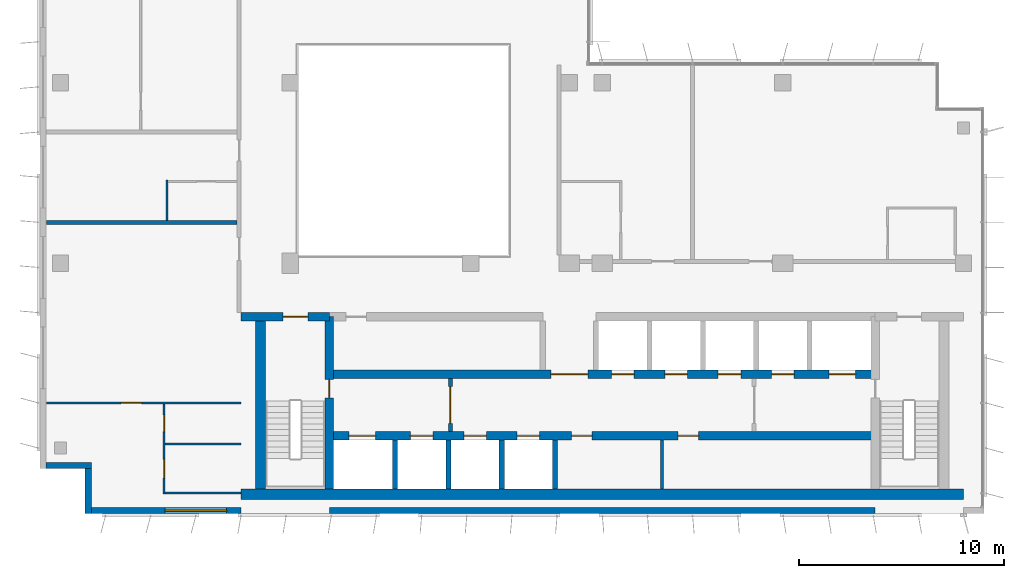
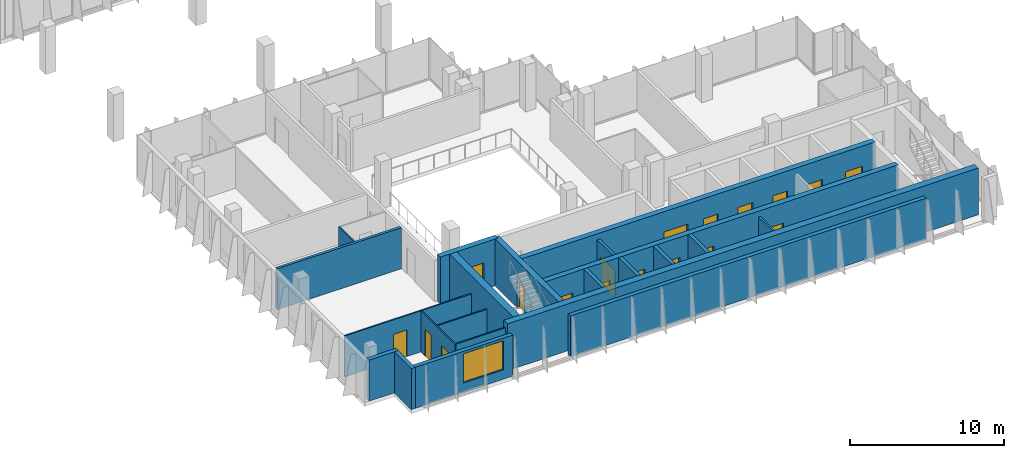
# One storey, part 9 of 13: 22 walls, 18 doors, 1 window, 19 openings.
"""IFC4 building model written with IfcOpenShell, lengths in metres."""

from ifc_helpers import new_model, si_unit, direction, frame, frame_2d, origin, place, context, subcontext, project, spatial, rectangle, extrude, material, layer, layer_set, type_object, element, fill, save


model = new_model("IFC4")

# Units and contexts
model_context = context("Model", 3, precision=1e-05, world=origin(), true_north=direction((0.0, 1.0)))
body_context = subcontext(model_context, "Body", "Model", "MODEL_VIEW")
ifc_project = project(units=[si_unit("LENGTHUNIT", "METRE"), si_unit("AREAUNIT", "SQUARE_METRE"), si_unit("VOLUMEUNIT", "CUBIC_METRE"), si_unit("PLANEANGLEUNIT", "RADIAN"), si_unit("MASSUNIT", "GRAM", prefix="KILO")], contexts=[model_context])

# Site, building, storey
site_placement = place(None, origin())
site = spatial("IfcSite", under=ifc_project, at=site_placement, CompositionType="ELEMENT")
building_placement = place(site_placement, origin())
building = spatial("IfcBuilding", under=site, at=building_placement, Name="Kemantara Hotel Tower", CompositionType="ELEMENT")
storey_placement = place(building_placement, frame((0.0, 0.0, 252.39990234375)))
storey = spatial("IfcBuildingStorey", under=building, at=storey_placement, Name="L63", CompositionType="ELEMENT", Elevation=252.39990234375)

# Walls
ifc_material_1 = material(Name="Bronze anodised aluminium cladding on insulated steel stud wall", Category="steel")
ifc_layer_1 = layer(ifc_material_1, 0.300048828125)
ifc_layer_set_1 = layer_set([ifc_layer_1], Name="Bronze anodised aluminium cladding on insulated steel stud wall")
wall_type_1 = type_object("IfcWallType", Name="BRONZE METAL-CLAD EXTERNAL WALL 300", PredefinedType="STANDARD", material=ifc_layer_set_1)
for number, where, z_axis, x_axis, name in (
    (1, (0.300048828125, 2.35009765625, 0.0), (0.0, 0.0, 1.0), (1.0, 0.0, 0.0), "EXTERNAL WALL L63 T4P-R03"),
    (2, (2.35009765625, 2.199951171875, 0.0), (0.0, 0.0, 1.0), (0.0, -1.0, 0.0), "EXTERNAL WALL L63 T4P-R04"),
):
    element("IfcWall", number, at=place(storey_placement, frame(where, z_axis=z_axis, x_axis=x_axis)), inside=storey, type_object=wall_type_1, Name=name, PredefinedType="STANDARD", context=body_context, shape_type="SweptSolid", body=[
        extrude(rectangle(XDim=2.199951171875, YDim=0.300048828125, at=frame_2d((1.10009765625, 0.0))), origin(), (0.0, 0.0, 1.0), 3.25),
    ])

# Wall, opening, window
wall_1_placement = place(storey_placement, frame((2.5, 0.14990234375, 0.0), z_axis=(0.0, 0.0, 1.0), x_axis=(1.0, 0.0, 0.0)))
wall_1 = element("IfcWall", 3, at=wall_1_placement, inside=storey, type_object=wall_type_1, Name="EXTERNAL WALL L63 T4P-R05", PredefinedType="STANDARD", context=body_context, shape_type="SweptSolid", body=[
    extrude(rectangle(XDim=7.300048828125, YDim=0.300048828125, at=frame_2d((3.64990234375, 0.0))), origin(), (0.0, 0.0, 1.0), 3.25),
])
opening_1_placement = place(wall_1_placement, frame((3.60009765625, 0.0, 0.75)))
opening_1 = element("IfcOpeningElement", 4, at=opening_1_placement, cuts=wall_1, Name="Opening W1", PredefinedType="OPENING", context=body_context, shape_type="SweptSolid", body=[
    extrude(rectangle(XDim=3.0, YDim=2.300048828125, at=frame_2d((1.5, 1.14990234375))), frame((0.0, 0.159912109375, 0.0), z_axis=(0.0, -1.0, 0.0), x_axis=(1.0, 0.0, 0.0)), (0.0, 0.0, 1.0), 0.320068359375),
])
ifc_material_2 = material(Name="Low-E tinted double insulated glass in bronze anodised aluminium frame", Category="aluminium")
window_type = type_object("IfcWindowType", Name="CHICAGO WINDOW, TRIPLE PANEL 3000x2300", PartitioningType="TRIPLE_PANEL_VERTICAL", PredefinedType="WINDOW", material=ifc_material_2)
window_placement = place(opening_1_placement, origin())
window = element("IfcWindow", 5, at=window_placement, inside=storey, type_object=window_type, Name="CHICAGO WINDOW L63 T4P-R05-54", OverallHeight=2.300048828125, OverallWidth=3.0, PartitioningType="SINGLE_PANEL", PredefinedType="WINDOW", context=body_context, shape_type="SweptSolid", body=[
    extrude(rectangle(XDim=3.0, YDim=2.300048828125, at=frame_2d((1.5, 1.14990234375))), frame((0.0, 0.030029296875, 0.0), z_axis=(0.0, -1.0, 0.0), x_axis=(1.0, 0.0, 0.0)), (0.0, 0.0, 1.0), 0.06005859375),
])
fill(opening_1, window)

# Walls
wall_2_placement = place(storey_placement, frame((14.10009765625, 0.14990234375, 0.0), z_axis=(0.0, 0.0, 1.0), x_axis=(1.0, 0.0, 0.0)))
element("IfcWall", 6, at=wall_2_placement, inside=storey, type_object=wall_type_1, Name="EXTERNAL WALL L63 T4P-R05-2", PredefinedType="STANDARD", context=body_context, shape_type="SweptSolid", body=[
    extrude(rectangle(XDim=26.599853515625, YDim=0.300048828125, at=frame_2d((13.2998046875, 0.0))), origin(), (0.0, 0.0, 1.0), 3.25),
])
ifc_material_3 = material(Name="Concrete fc 60 MPa", Category="concrete")
ifc_layer_2 = layer(ifc_material_3, 0.25)
ifc_layer_set_2 = layer_set([ifc_layer_2], Name="Concrete fc 60 MPa")
wall_type_2 = type_object("IfcWallType", Name="CORE WALL 250 FC60", PredefinedType="SHEAR", material=ifc_layer_set_2)
for number, where, z_axis, x_axis, name in (
    (7, (17.300048828125, 1.199951171875, 0.0), (0.0, 0.0, 1.0), (0.0, 1.0, 0.0), "CORE WALL CW-DS17.3"),
    (8, (19.89990234375, 1.199951171875, 0.0), (0.0, 0.0, 1.0), (0.0, 1.0, 0.0), "CORE WALL CW-DS19.9"),
    (9, (22.5, 1.199951171875, 0.0), (0.0, 0.0, 1.0), (0.0, 1.0, 0.0), "CORE WALL CW-DS22.5"),
    (10, (25.10009765625, 1.199951171875, 0.0), (0.0, 0.0, 1.0), (0.0, 1.0, 0.0), "CORE WALL CW-DS25.1"),
):
    element("IfcWall", number, at=place(storey_placement, frame(where, z_axis=z_axis, x_axis=x_axis)), inside=storey, type_object=wall_type_2, Name=name, PredefinedType="SHEAR", context=body_context, shape_type="SweptSolid", body=[
        extrude(rectangle(XDim=2.400146484375, YDim=0.25, at=frame_2d((1.2001953125, 0.0))), origin(), (0.0, 0.0, 1.0), 3.7001953125),
    ])

# Wall, opening, door
ifc_layer_3 = layer(ifc_material_3, 0.39990234375)
ifc_layer_set_3 = layer_set([ifc_layer_3], Name="Concrete fc 60 MPa")
wall_type_3 = type_object("IfcWallType", Name="CORE WALL 400 FC60", PredefinedType="SHEAR", material=ifc_layer_set_3)
wall_3_placement = place(storey_placement, frame((9.800048828125, 9.60009765625, 0.0), z_axis=(0.0, 0.0, 1.0), x_axis=(1.0, 0.0, 0.0)))
wall_3 = element("IfcWall", 11, at=wall_3_placement, inside=storey, type_object=wall_type_3, Name="CORE WALL CW-N1", PredefinedType="SHEAR", context=body_context, shape_type="SweptSolid", body=[
    extrude(rectangle(XDim=4.300048828125, YDim=0.39990234375, at=frame_2d((2.14990234375, 0.0))), origin(), (0.0, 0.0, 1.0), 3.7001953125),
])
opening_2_placement = place(wall_3_placement, frame((2.050048828125, 0.0, 0.0)))
opening_2 = element("IfcOpeningElement", 12, at=opening_2_placement, cuts=wall_3, Name="Opening C37-ST1-C", PredefinedType="OPENING", context=body_context, shape_type="SweptSolid", body=[
    extrude(rectangle(XDim=1.199951171875, YDim=2.10009765625, at=frame_2d((0.60009765625, 1.050048828125))), frame((0.0, 0.2099609375, 0.0), z_axis=(0.0, -1.0, 0.0), x_axis=(1.0, 0.0, 0.0)), (0.0, 0.0, 1.0), 0.419921875),
])
ifc_material_4 = material(Name="Steel fire door", Category="steel")
door_type_1 = type_object("IfcDoorType", Name="Fire door FD90 1200 x 2100", OperationType="NOTDEFINED", PredefinedType="DOOR", material=ifc_material_4)
door_1_placement = place(opening_2_placement, frame((1.199951171875, 0.0, 0.0), z_axis=(0.0, 0.0, 1.0), x_axis=(-1.0, 0.0, 0.0)))
door_1 = element("IfcDoor", 13, at=door_1_placement, inside=storey, type_object=door_type_1, Name="Stair ST1 door to corridor", OperationType="SINGLE_SWING_LEFT", OverallHeight=2.10009765625, OverallWidth=1.199951171875, PredefinedType="DOOR", context=body_context, shape_type="SweptSolid", body=[
    extrude(rectangle(XDim=1.199951171875, YDim=2.10009765625, at=frame_2d((0.60009765625, 1.050048828125))), frame((0.0, 0.02490234375, 0.0), z_axis=(0.0, -1.0, 0.0), x_axis=(1.0, 0.0, 0.0)), (0.0, 0.0, 1.0), 0.050048828125),
])
fill(opening_2, door_1)

# Wall, openings, doors
wall_4_placement = place(storey_placement, frame((14.10009765625, 3.800048828125, 0.0), z_axis=(0.0, 0.0, 1.0), x_axis=(1.0, 0.0, 0.0)))
wall_4 = element("IfcWall", 14, at=wall_4_placement, inside=storey, type_object=wall_type_3, Name="CORE WALL CW-L1", PredefinedType="SHEAR", context=body_context, shape_type="SweptSolid", body=[
    extrude(rectangle(XDim=26.599853515625, YDim=0.39990234375, at=frame_2d((13.2998046875, 0.0))), origin(), (0.0, 0.0, 1.0), 3.7001953125),
])
opening_3_placement = place(wall_4_placement, frame((0.949951171875, 0.0, 0.0)))
opening_3 = element("IfcOpeningElement", 15, at=opening_3_placement, cuts=wall_4, Name="Opening C37-LD-FF1", PredefinedType="OPENING", context=body_context, shape_type="SweptSolid", body=[
    extrude(rectangle(XDim=1.300048828125, YDim=2.10009765625, at=frame_2d((0.64990234375, 1.050048828125))), frame((0.0, 0.2099609375, 0.0), z_axis=(0.0, -1.0, 0.0), x_axis=(1.0, 0.0, 0.0)), (0.0, 0.0, 1.0), 0.419921875),
])
opening_4_placement = place(wall_4_placement, frame((3.949951171875, 0.0, 0.0)))
opening_4 = element("IfcOpeningElement", 16, at=opening_4_placement, cuts=wall_4, Name="Opening C37-LD-SV1", PredefinedType="OPENING", context=body_context, shape_type="SweptSolid", body=[
    extrude(rectangle(XDim=1.10009765625, YDim=2.10009765625, at=frame_2d((0.550048828125, 1.050048828125))), frame((0.0, 0.2099609375, 0.0), z_axis=(0.0, -1.0, 0.0), x_axis=(1.0, 0.0, 0.0)), (0.0, 0.0, 1.0), 0.419921875),
])
opening_5_placement = place(wall_4_placement, frame((6.550048828125, 0.0, 0.0)))
opening_5 = element("IfcOpeningElement", 17, at=opening_5_placement, cuts=wall_4, Name="Opening C37-LD-SV2", PredefinedType="OPENING", context=body_context, shape_type="SweptSolid", body=[
    extrude(rectangle(XDim=1.10009765625, YDim=2.10009765625, at=frame_2d((0.550048828125, 1.050048828125))), frame((0.0, 0.2099609375, 0.0), z_axis=(0.0, -1.0, 0.0), x_axis=(1.0, 0.0, 0.0)), (0.0, 0.0, 1.0), 0.419921875),
])
opening_6_placement = place(wall_4_placement, frame((9.14990234375, 0.0, 0.0)))
opening_6 = element("IfcOpeningElement", 18, at=opening_6_placement, cuts=wall_4, Name="Opening C37-LD-SV3", PredefinedType="OPENING", context=body_context, shape_type="SweptSolid", body=[
    extrude(rectangle(XDim=1.10009765625, YDim=2.10009765625, at=frame_2d((0.550048828125, 1.050048828125))), frame((0.0, 0.2099609375, 0.0), z_axis=(0.0, -1.0, 0.0), x_axis=(1.0, 0.0, 0.0)), (0.0, 0.0, 1.0), 0.419921875),
])
opening_7_placement = place(wall_4_placement, frame((11.800048828125, 0.0, 0.0)))
opening_7 = element("IfcOpeningElement", 19, at=opening_7_placement, cuts=wall_4, Name="Opening C37-R-SM1", PredefinedType="OPENING", context=body_context, shape_type="SweptSolid", body=[
    extrude(rectangle(XDim=1.0, YDim=2.10009765625, at=frame_2d((0.5, 1.050048828125))), frame((0.0, 0.2099609375, 0.0), z_axis=(0.0, -1.0, 0.0), x_axis=(1.0, 0.0, 0.0)), (0.0, 0.0, 1.0), 0.419921875),
])
opening_8_placement = place(wall_4_placement, frame((17.0, 0.0, 0.0)))
opening_8 = element("IfcOpeningElement", 20, at=opening_8_placement, cuts=wall_4, Name="Opening C37-R-SM2", PredefinedType="OPENING", context=body_context, shape_type="SweptSolid", body=[
    extrude(rectangle(XDim=1.0, YDim=2.10009765625, at=frame_2d((0.5, 1.050048828125))), frame((0.0, 0.2099609375, 0.0), z_axis=(0.0, -1.0, 0.0), x_axis=(1.0, 0.0, 0.0)), (0.0, 0.0, 1.0), 0.419921875),
])
door_type_2 = type_object("IfcDoorType", Name="Fire door FD30S 1000 x 2100", OperationType="NOTDEFINED", PredefinedType="DOOR", material=ifc_material_4)
door_2_placement = place(opening_7_placement, frame((1.0, 0.0, 0.0), z_axis=(0.0, 0.0, 1.0), x_axis=(-1.0, 0.0, 0.0)))
door_2 = element("IfcDoor", 21, at=door_2_placement, inside=storey, type_object=door_type_2, Name="Luggage Store door", OperationType="SINGLE_SWING_RIGHT", OverallHeight=2.10009765625, OverallWidth=1.0, PredefinedType="DOOR", context=body_context, shape_type="SweptSolid", body=[
    extrude(rectangle(XDim=1.0, YDim=2.10009765625, at=frame_2d((0.5, 1.050048828125))), frame((0.0, 0.02490234375, 0.0), z_axis=(0.0, -1.0, 0.0), x_axis=(1.0, 0.0, 0.0)), (0.0, 0.0, 1.0), 0.050048828125),
])
fill(opening_7, door_2)
door_3_placement = place(opening_8_placement, frame((1.0, 0.0, 0.0), z_axis=(0.0, 0.0, 1.0), x_axis=(-1.0, 0.0, 0.0)))
door_3 = element("IfcDoor", 22, at=door_3_placement, inside=storey, type_object=door_type_2, Name="Staff Lounge door", OperationType="SINGLE_SWING_LEFT", OverallHeight=2.10009765625, OverallWidth=1.0, PredefinedType="DOOR", context=body_context, shape_type="SweptSolid", body=[
    extrude(rectangle(XDim=1.0, YDim=2.10009765625, at=frame_2d((0.5, 1.050048828125))), frame((0.0, 0.02490234375, 0.0), z_axis=(0.0, -1.0, 0.0), x_axis=(1.0, 0.0, 0.0)), (0.0, 0.0, 1.0), 0.050048828125),
])
fill(opening_8, door_3)
ifc_material_5 = material(Name="Stainless steel lift door", Category="steel")
door_type_3 = type_object("IfcDoorType", Name="Lift landing door 1100 x 2100 FD60", OperationType="DOUBLE_DOOR_SLIDING", PredefinedType="DOOR", material=ifc_material_5)
door_4_placement = place(opening_4_placement, origin())
door_4 = element("IfcDoor", 23, at=door_4_placement, inside=storey, type_object=door_type_3, Name="Lift SV1 landing door", OperationType="DOUBLE_DOOR_SLIDING", OverallHeight=2.10009765625, OverallWidth=1.10009765625, PredefinedType="DOOR", context=body_context, shape_type="SweptSolid", body=[
    extrude(rectangle(XDim=1.10009765625, YDim=2.10009765625, at=frame_2d((0.550048828125, 1.050048828125))), frame((0.0, 0.02490234375, 0.0), z_axis=(0.0, -1.0, 0.0), x_axis=(1.0, 0.0, 0.0)), (0.0, 0.0, 1.0), 0.050048828125),
])
fill(opening_4, door_4)
door_5_placement = place(opening_5_placement, origin())
door_5 = element("IfcDoor", 24, at=door_5_placement, inside=storey, type_object=door_type_3, Name="Lift SV2 landing door", OperationType="DOUBLE_DOOR_SLIDING", OverallHeight=2.10009765625, OverallWidth=1.10009765625, PredefinedType="DOOR", context=body_context, shape_type="SweptSolid", body=[
    extrude(rectangle(XDim=1.10009765625, YDim=2.10009765625, at=frame_2d((0.550048828125, 1.050048828125))), frame((0.0, 0.02490234375, 0.0), z_axis=(0.0, -1.0, 0.0), x_axis=(1.0, 0.0, 0.0)), (0.0, 0.0, 1.0), 0.050048828125),
])
fill(opening_5, door_5)
door_6_placement = place(opening_6_placement, origin())
door_6 = element("IfcDoor", 25, at=door_6_placement, inside=storey, type_object=door_type_3, Name="Lift SV3 landing door", OperationType="DOUBLE_DOOR_SLIDING", OverallHeight=2.10009765625, OverallWidth=1.10009765625, PredefinedType="DOOR", context=body_context, shape_type="SweptSolid", body=[
    extrude(rectangle(XDim=1.10009765625, YDim=2.10009765625, at=frame_2d((0.550048828125, 1.050048828125))), frame((0.0, 0.02490234375, 0.0), z_axis=(0.0, -1.0, 0.0), x_axis=(1.0, 0.0, 0.0)), (0.0, 0.0, 1.0), 0.050048828125),
])
fill(opening_6, door_6)
door_type_4 = type_object("IfcDoorType", Name="Lift landing door 1300 x 2100 FD90", OperationType="DOUBLE_DOOR_SLIDING", PredefinedType="DOOR", material=ifc_material_5)
door_7_placement = place(opening_3_placement, origin())
door_7 = element("IfcDoor", 26, at=door_7_placement, inside=storey, type_object=door_type_4, Name="Lift FF1 landing door", OperationType="DOUBLE_DOOR_SLIDING", OverallHeight=2.10009765625, OverallWidth=1.300048828125, PredefinedType="DOOR", context=body_context, shape_type="SweptSolid", body=[
    extrude(rectangle(XDim=1.300048828125, YDim=2.10009765625, at=frame_2d((0.64990234375, 1.050048828125))), frame((0.0, 0.02490234375, 0.0), z_axis=(0.0, -1.0, 0.0), x_axis=(1.0, 0.0, 0.0)), (0.0, 0.0, 1.0), 0.050048828125),
])
fill(opening_3, door_7)

wall_5_placement = place(storey_placement, frame((14.10009765625, 6.800048828125, 0.0), z_axis=(0.0, 0.0, 1.0), x_axis=(1.0, 0.0, 0.0)))
wall_5 = element("IfcWall", 27, at=wall_5_placement, inside=storey, type_object=wall_type_3, Name="CORE WALL CW-L2", PredefinedType="SHEAR", context=body_context, shape_type="SweptSolid", body=[
    extrude(rectangle(XDim=26.599853515625, YDim=0.39990234375, at=frame_2d((13.2998046875, 0.0))), origin(), (0.0, 0.0, 1.0), 3.7001953125),
])
opening_9_placement = place(wall_5_placement, frame((10.800048828125, 0.0, 0.0)))
opening_9 = element("IfcOpeningElement", 28, at=opening_9_placement, cuts=wall_5, Name="Opening C37-VL", PredefinedType="OPENING", context=body_context, shape_type="SweptSolid", body=[
    extrude(rectangle(XDim=1.800048828125, YDim=2.10009765625, at=frame_2d((0.89990234375, 1.050048828125))), frame((0.0, 0.2099609375, 0.0), z_axis=(0.0, -1.0, 0.0), x_axis=(1.0, 0.0, 0.0)), (0.0, 0.0, 1.0), 0.419921875),
])
opening_10_placement = place(wall_5_placement, frame((13.75, 0.0, 0.0)))
opening_10 = element("IfcOpeningElement", 29, at=opening_10_placement, cuts=wall_5, Name="Opening C37-LD-HR1", PredefinedType="OPENING", context=body_context, shape_type="SweptSolid", body=[
    extrude(rectangle(XDim=1.10009765625, YDim=2.10009765625, at=frame_2d((0.550048828125, 1.050048828125))), frame((0.0, 0.2099609375, 0.0), z_axis=(0.0, -1.0, 0.0), x_axis=(1.0, 0.0, 0.0)), (0.0, 0.0, 1.0), 0.419921875),
])
opening_11_placement = place(wall_5_placement, frame((16.35009765625, 0.0, 0.0)))
opening_11 = element("IfcOpeningElement", 30, at=opening_11_placement, cuts=wall_5, Name="Opening C37-LD-HR2", PredefinedType="OPENING", context=body_context, shape_type="SweptSolid", body=[
    extrude(rectangle(XDim=1.10009765625, YDim=2.10009765625, at=frame_2d((0.550048828125, 1.050048828125))), frame((0.0, 0.2099609375, 0.0), z_axis=(0.0, -1.0, 0.0), x_axis=(1.0, 0.0, 0.0)), (0.0, 0.0, 1.0), 0.419921875),
])
opening_12_placement = place(wall_5_placement, frame((18.949951171875, 0.0, 0.0)))
opening_12 = element("IfcOpeningElement", 31, at=opening_12_placement, cuts=wall_5, Name="Opening C37-LD-HR3", PredefinedType="OPENING", context=body_context, shape_type="SweptSolid", body=[
    extrude(rectangle(XDim=1.10009765625, YDim=2.10009765625, at=frame_2d((0.550048828125, 1.050048828125))), frame((0.0, 0.2099609375, 0.0), z_axis=(0.0, -1.0, 0.0), x_axis=(1.0, 0.0, 0.0)), (0.0, 0.0, 1.0), 0.419921875),
])
opening_13_placement = place(wall_5_placement, frame((21.550048828125, 0.0, 0.0)))
opening_13 = element("IfcOpeningElement", 32, at=opening_13_placement, cuts=wall_5, Name="Opening C37-LD-HR4", PredefinedType="OPENING", context=body_context, shape_type="SweptSolid", body=[
    extrude(rectangle(XDim=1.10009765625, YDim=2.10009765625, at=frame_2d((0.550048828125, 1.050048828125))), frame((0.0, 0.2099609375, 0.0), z_axis=(0.0, -1.0, 0.0), x_axis=(1.0, 0.0, 0.0)), (0.0, 0.0, 1.0), 0.419921875),
])
opening_14_placement = place(wall_5_placement, frame((24.35009765625, 0.0, 0.0)))
opening_14 = element("IfcOpeningElement", 33, at=opening_14_placement, cuts=wall_5, Name="Opening C37-LD-FF2", PredefinedType="OPENING", context=body_context, shape_type="SweptSolid", body=[
    extrude(rectangle(XDim=1.300048828125, YDim=2.10009765625, at=frame_2d((0.64990234375, 1.050048828125))), frame((0.0, 0.2099609375, 0.0), z_axis=(0.0, -1.0, 0.0), x_axis=(1.0, 0.0, 0.0)), (0.0, 0.0, 1.0), 0.419921875),
])
door_type_5 = type_object("IfcDoorType", Name="Fire door pair FD60 1800 x 2100", OperationType="DOUBLE_DOOR_SINGLE_SWING", PredefinedType="DOOR", material=ifc_material_4)
door_8_placement = place(opening_9_placement, frame((1.800048828125, 0.0, 0.0), z_axis=(0.0, 0.0, 1.0), x_axis=(-1.0, 0.0, 0.0)))
door_8 = element("IfcDoor", 34, at=door_8_placement, inside=storey, type_object=door_type_5, Name="Lift lobby entry door", OperationType="DOUBLE_DOOR_SINGLE_SWING", OverallHeight=2.10009765625, OverallWidth=1.800048828125, PredefinedType="DOOR", context=body_context, shape_type="SweptSolid", body=[
    extrude(rectangle(XDim=1.800048828125, YDim=2.10009765625, at=frame_2d((0.89990234375, 1.050048828125))), frame((0.0, 0.02490234375, 0.0), z_axis=(0.0, -1.0, 0.0), x_axis=(1.0, 0.0, 0.0)), (0.0, 0.0, 1.0), 0.050048828125),
])
fill(opening_9, door_8)
door_9_placement = place(opening_10_placement, origin())
door_9 = element("IfcDoor", 35, at=door_9_placement, inside=storey, type_object=door_type_3, Name="Lift HR1 landing door", OperationType="DOUBLE_DOOR_SLIDING", OverallHeight=2.10009765625, OverallWidth=1.10009765625, PredefinedType="DOOR", context=body_context, shape_type="SweptSolid", body=[
    extrude(rectangle(XDim=1.10009765625, YDim=2.10009765625, at=frame_2d((0.550048828125, 1.050048828125))), frame((0.0, 0.02490234375, 0.0), z_axis=(0.0, -1.0, 0.0), x_axis=(1.0, 0.0, 0.0)), (0.0, 0.0, 1.0), 0.050048828125),
])
fill(opening_10, door_9)
door_10_placement = place(opening_11_placement, origin())
door_10 = element("IfcDoor", 36, at=door_10_placement, inside=storey, type_object=door_type_3, Name="Lift HR2 landing door", OperationType="DOUBLE_DOOR_SLIDING", OverallHeight=2.10009765625, OverallWidth=1.10009765625, PredefinedType="DOOR", context=body_context, shape_type="SweptSolid", body=[
    extrude(rectangle(XDim=1.10009765625, YDim=2.10009765625, at=frame_2d((0.550048828125, 1.050048828125))), frame((0.0, 0.02490234375, 0.0), z_axis=(0.0, -1.0, 0.0), x_axis=(1.0, 0.0, 0.0)), (0.0, 0.0, 1.0), 0.050048828125),
])
fill(opening_11, door_10)
door_11_placement = place(opening_12_placement, origin())
door_11 = element("IfcDoor", 37, at=door_11_placement, inside=storey, type_object=door_type_3, Name="Lift HR3 landing door", OperationType="DOUBLE_DOOR_SLIDING", OverallHeight=2.10009765625, OverallWidth=1.10009765625, PredefinedType="DOOR", context=body_context, shape_type="SweptSolid", body=[
    extrude(rectangle(XDim=1.10009765625, YDim=2.10009765625, at=frame_2d((0.550048828125, 1.050048828125))), frame((0.0, 0.02490234375, 0.0), z_axis=(0.0, -1.0, 0.0), x_axis=(1.0, 0.0, 0.0)), (0.0, 0.0, 1.0), 0.050048828125),
])
fill(opening_12, door_11)
door_12_placement = place(opening_13_placement, origin())
door_12 = element("IfcDoor", 38, at=door_12_placement, inside=storey, type_object=door_type_3, Name="Lift HR4 landing door", OperationType="DOUBLE_DOOR_SLIDING", OverallHeight=2.10009765625, OverallWidth=1.10009765625, PredefinedType="DOOR", context=body_context, shape_type="SweptSolid", body=[
    extrude(rectangle(XDim=1.10009765625, YDim=2.10009765625, at=frame_2d((0.550048828125, 1.050048828125))), frame((0.0, 0.02490234375, 0.0), z_axis=(0.0, -1.0, 0.0), x_axis=(1.0, 0.0, 0.0)), (0.0, 0.0, 1.0), 0.050048828125),
])
fill(opening_13, door_12)
door_13_placement = place(opening_14_placement, origin())
door_13 = element("IfcDoor", 39, at=door_13_placement, inside=storey, type_object=door_type_4, Name="Lift FF2 landing door", OperationType="DOUBLE_DOOR_SLIDING", OverallHeight=2.10009765625, OverallWidth=1.300048828125, PredefinedType="DOOR", context=body_context, shape_type="SweptSolid", body=[
    extrude(rectangle(XDim=1.300048828125, YDim=2.10009765625, at=frame_2d((0.64990234375, 1.050048828125))), frame((0.0, 0.02490234375, 0.0), z_axis=(0.0, -1.0, 0.0), x_axis=(1.0, 0.0, 0.0)), (0.0, 0.0, 1.0), 0.050048828125),
])
fill(opening_14, door_13)

# Wall, opening, door
wall_6_placement = place(storey_placement, frame((14.10009765625, 1.199951171875, 0.0), z_axis=(0.0, 0.0, 1.0), x_axis=(0.0, 1.0, 0.0)))
wall_6 = element("IfcWall", 40, at=wall_6_placement, inside=storey, type_object=wall_type_3, Name="CORE WALL CW-ST1E", PredefinedType="SHEAR", context=body_context, shape_type="SweptSolid", body=[
    extrude(rectangle(XDim=8.400146484375, YDim=0.39990234375, at=frame_2d((4.2001953125, 0.0))), origin(), (0.0, 0.0, 1.0), 3.7001953125),
])
opening_15_placement = place(wall_6_placement, frame((4.449951171875, 0.0, 0.0)))
opening_15 = element("IfcOpeningElement", 41, at=opening_15_placement, cuts=wall_6, Name="Opening C37-ST1-F", PredefinedType="OPENING", context=body_context, shape_type="SweptSolid", body=[
    extrude(rectangle(XDim=0.89990234375, YDim=2.10009765625, at=frame_2d((0.449951171875, 1.050048828125))), frame((0.0, 0.2099609375, 0.0), z_axis=(0.0, -1.0, 0.0), x_axis=(1.0, 0.0, 0.0)), (0.0, 0.0, 1.0), 0.419921875),
])
door_type_6 = type_object("IfcDoorType", Name="Fire door FD90 900 x 2100", OperationType="NOTDEFINED", PredefinedType="DOOR", material=ifc_material_4)
door_14_placement = place(opening_15_placement, origin())
door_14 = element("IfcDoor", 42, at=door_14_placement, inside=storey, type_object=door_type_6, Name="Stair ST1 door to firefighting lobby", OperationType="SINGLE_SWING_RIGHT", OverallHeight=2.10009765625, OverallWidth=0.89990234375, PredefinedType="DOOR", context=body_context, shape_type="SweptSolid", body=[
    extrude(rectangle(XDim=0.89990234375, YDim=2.10009765625, at=frame_2d((0.449951171875, 1.050048828125))), frame((0.0, 0.02490234375, 0.0), z_axis=(0.0, -1.0, 0.0), x_axis=(1.0, 0.0, 0.0)), (0.0, 0.0, 1.0), 0.050048828125),
])
fill(opening_15, door_14)

# Walls
ifc_layer_4 = layer(ifc_material_3, 0.5)
ifc_layer_set_4 = layer_set([ifc_layer_4], Name="Concrete fc 60 MPa")
wall_type_4 = type_object("IfcWallType", Name="CORE WALL 500 FC60", PredefinedType="SHEAR", material=ifc_layer_set_4)
wall_7_placement = place(storey_placement, frame((9.800048828125, 0.949951171875, 0.0), z_axis=(0.0, 0.0, 1.0), x_axis=(1.0, 0.0, 0.0)))
element("IfcWall", 43, at=wall_7_placement, inside=storey, type_object=wall_type_4, Name="CORE WALL CW-S", PredefinedType="SHEAR", context=body_context, shape_type="SweptSolid", body=[
    extrude(rectangle(XDim=35.199951171875, YDim=0.5, at=frame_2d((17.60009765625, 0.0))), origin(), (0.0, 0.0, 1.0), 3.7001953125),
])
wall_8_placement = place(storey_placement, frame((10.75, 1.199951171875, 0.0), z_axis=(0.0, 0.0, 1.0), x_axis=(0.0, 1.0, 0.0)))
element("IfcWall", 44, at=wall_8_placement, inside=storey, type_object=wall_type_4, Name="CORE WALL CW-W", PredefinedType="SHEAR", context=body_context, shape_type="SweptSolid", body=[
    extrude(rectangle(XDim=8.60009765625, YDim=0.5, at=frame_2d((4.300048828125, 0.0))), origin(), (0.0, 0.0, 1.0), 3.7001953125),
])
ifc_material_6 = material(Name="Gypsum board partition, steel studs and mineral wool, 200 mm", Category="steel")
ifc_layer_5 = layer(ifc_material_6, 0.199951171875)
ifc_layer_set_5 = layer_set([ifc_layer_5], Name="Gypsum board partition, steel studs and mineral wool, 200 mm")
wall_type_5 = type_object("IfcWallType", Name="GUEST ROOM PARTY WALL 200", PredefinedType="PARTITIONING", material=ifc_layer_set_5)
wall_9_placement = place(storey_placement, frame((0.31005859375, 14.199951171875, 0.0), z_axis=(0.0, 0.0, 1.0), x_axis=(1.0, 0.0, 0.0)))
element("IfcWall", 45, at=wall_9_placement, inside=storey, type_object=wall_type_5, Name="GUEST ROOM PARTY WALL 200 015", PredefinedType="PARTITIONING", context=body_context, shape_type="SweptSolid", body=[
    extrude(rectangle(XDim=9.2900390625, YDim=0.199951171875, at=frame_2d((4.64501953125, 0.0))), origin(), (0.0, 0.0, 1.0), 3.25),
])
ifc_material_7 = material(Name="Gypsum board partition")
ifc_layer_6 = layer(ifc_material_7, 0.14990234375)
ifc_layer_set_6 = layer_set([ifc_layer_6], Name="Gypsum board partition")
wall_type_6 = type_object("IfcWallType", Name="Gypsum board partition 150 mm", PredefinedType="PARTITIONING", material=ifc_layer_set_6)
wall_10_placement = place(storey_placement, frame((30.300048828125, 1.199951171875, 0.0), z_axis=(0.0, 0.0, 1.0), x_axis=(0.0, 1.0, 0.0)))
element("IfcWall", 46, at=wall_10_placement, inside=storey, type_object=wall_type_6, Name="Core room partition", PredefinedType="PARTITIONING", context=body_context, shape_type="SweptSolid", body=[
    extrude(rectangle(XDim=2.400146484375, YDim=0.14990234375, at=frame_2d((1.2001953125, 0.0))), origin(), (0.0, 0.0, 1.0), 3.25),
])

# Wall, opening, door
ifc_material_8 = material(Name="Gypsum board shaft wall")
ifc_layer_7 = layer(ifc_material_8, 0.199951171875)
ifc_layer_set_7 = layer_set([ifc_layer_7], Name="Gypsum board shaft wall")
wall_type_7 = type_object("IfcWallType", Name="Gypsum board shaft wall 200 mm", PredefinedType="PARTITIONING", material=ifc_layer_set_7)
wall_11_placement = place(storey_placement, frame((20.0, 4.0, 0.0), z_axis=(0.0, 0.0, 1.0), x_axis=(0.0, 1.0, 0.0)))
wall_11 = element("IfcWall", 47, at=wall_11_placement, inside=storey, type_object=wall_type_7, Name="Firefighting lobby partition west", PredefinedType="PARTITIONING", context=body_context, shape_type="SweptSolid", body=[
    extrude(rectangle(XDim=2.60009765625, YDim=0.199951171875, at=frame_2d((1.300048828125, 0.0))), origin(), (0.0, 0.0, 1.0), 3.25),
])
opening_16_placement = place(wall_11_placement, frame((0.39990234375, 0.0, 0.0)))
opening_16 = element("IfcOpeningElement", 48, at=opening_16_placement, cuts=wall_11, Name="Opening C37-FFW", PredefinedType="OPENING", context=body_context, shape_type="SweptSolid", body=[
    extrude(rectangle(XDim=1.800048828125, YDim=2.10009765625, at=frame_2d((0.89990234375, 1.050048828125))), frame((0.0, 0.10986328125, 0.0), z_axis=(0.0, -1.0, 0.0), x_axis=(1.0, 0.0, 0.0)), (0.0, 0.0, 1.0), 0.219970703125),
])
door_15_placement = place(opening_16_placement, origin())
door_15 = element("IfcDoor", 49, at=door_15_placement, inside=storey, type_object=door_type_5, Name="Firefighting lobby door west", OperationType="DOUBLE_DOOR_SINGLE_SWING", OverallHeight=2.10009765625, OverallWidth=1.800048828125, PredefinedType="DOOR", context=body_context, shape_type="SweptSolid", body=[
    extrude(rectangle(XDim=1.800048828125, YDim=2.10009765625, at=frame_2d((0.89990234375, 1.050048828125))), frame((0.0, 0.02490234375, 0.0), z_axis=(0.0, -1.0, 0.0), x_axis=(1.0, 0.0, 0.0)), (0.0, 0.0, 1.0), 0.050048828125),
])
fill(opening_16, door_15)

# Wall, openings, doors
ifc_material_9 = material(Name="Gypsum board partition on steel studs, 100 mm", Category="steel")
ifc_layer_8 = layer(ifc_material_9, 0.10009765625)
ifc_layer_set_8 = layer_set([ifc_layer_8], Name="Gypsum board partition on steel studs, 100 mm")
wall_type_8 = type_object("IfcWallType", Name="ROOM PARTITION 100", PredefinedType="PARTITIONING", material=ifc_layer_set_8)
wall_12_placement = place(storey_placement, frame((6.050048828125, 5.35009765625, 0.0), z_axis=(0.0, 0.0, 1.0), x_axis=(0.0, -1.0, 0.0)))
wall_12 = element("IfcWall", 50, at=wall_12_placement, inside=storey, type_object=wall_type_8, Name="ROOM PARTITION 100 026", PredefinedType="PARTITIONING", context=body_context, shape_type="SweptSolid", body=[
    extrude(rectangle(XDim=4.400146484375, YDim=0.10009765625, at=frame_2d((2.2001953125, 0.0))), origin(), (0.0, 0.0, 1.0), 3.25),
])
opening_17_placement = place(wall_12_placement, frame((2.699951171875, 0.0, 0.0)))
opening_17 = element("IfcOpeningElement", 51, at=opening_17_placement, cuts=wall_12, Name="Opening F31-007", PredefinedType="OPENING", context=body_context, shape_type="SweptSolid", body=[
    extrude(rectangle(XDim=0.89990234375, YDim=2.10009765625, at=frame_2d((0.449951171875, 1.050048828125))), frame((0.0, 0.06005859375, 0.0), z_axis=(0.0, -1.0, 0.0), x_axis=(1.0, 0.0, 0.0)), (0.0, 0.0, 1.0), 0.1201171875),
])
opening_18_placement = place(wall_12_placement, frame((0.550048828125, 0.0, 0.0)))
opening_18 = element("IfcOpeningElement", 52, at=opening_18_placement, cuts=wall_12, Name="Opening F31-008", PredefinedType="OPENING", context=body_context, shape_type="SweptSolid", body=[
    extrude(rectangle(XDim=0.800048828125, YDim=2.10009765625, at=frame_2d((0.39990234375, 1.050048828125))), frame((0.0, 0.06005859375, 0.0), z_axis=(0.0, -1.0, 0.0), x_axis=(1.0, 0.0, 0.0)), (0.0, 0.0, 1.0), 0.1201171875),
])
ifc_material_10 = material(Name="Hardwood veneer door leaf with steel frame", Category="steel")
door_type_7 = type_object("IfcDoorType", Name="BATHROOM DOOR 900 X 2100", OperationType="NOTDEFINED", PredefinedType="DOOR", material=ifc_material_10)
door_16_placement = place(opening_17_placement, origin())
door_16 = element("IfcDoor", 53, at=door_16_placement, inside=storey, type_object=door_type_7, Name="BATHROOM DOOR F31-007", OperationType="SINGLE_SWING_LEFT", OverallHeight=2.10009765625, OverallWidth=0.89990234375, PredefinedType="DOOR", context=body_context, shape_type="SweptSolid", body=[
    extrude(rectangle(XDim=0.89990234375, YDim=2.10009765625, at=frame_2d((0.449951171875, 1.050048828125))), frame((0.0, 0.02490234375, 0.0), z_axis=(0.0, -1.0, 0.0), x_axis=(1.0, 0.0, 0.0)), (0.0, 0.0, 1.0), 0.050048828125),
])
fill(opening_17, door_16)
door_type_8 = type_object("IfcDoorType", Name="WARDROBE DOOR 800 X 2100", OperationType="NOTDEFINED", PredefinedType="DOOR", material=ifc_material_10)
door_17_placement = place(opening_18_placement, origin())
door_17 = element("IfcDoor", 54, at=door_17_placement, inside=storey, type_object=door_type_8, Name="WARDROBE DOOR F31-008", OperationType="SINGLE_SWING_LEFT", OverallHeight=2.10009765625, OverallWidth=0.800048828125, PredefinedType="DOOR", context=body_context, shape_type="SweptSolid", body=[
    extrude(rectangle(XDim=0.800048828125, YDim=2.10009765625, at=frame_2d((0.39990234375, 1.050048828125))), frame((0.0, 0.02490234375, 0.0), z_axis=(0.0, -1.0, 0.0), x_axis=(1.0, 0.0, 0.0)), (0.0, 0.0, 1.0), 0.050048828125),
])
fill(opening_18, door_17)

# Wall, opening, door
wall_13_placement = place(storey_placement, frame((9.7998046875, 5.39990234375, 0.0), z_axis=(0.0, 0.0, 1.0), x_axis=(-1.0, 0.0, 0.0)))
wall_13 = element("IfcWall", 55, at=wall_13_placement, inside=storey, type_object=wall_type_8, Name="ROOM PARTITION 100 027", PredefinedType="PARTITIONING", context=body_context, shape_type="SweptSolid", body=[
    extrude(rectangle(XDim=9.48974609375, YDim=0.10009765625, at=frame_2d((4.744873046875, 0.0))), origin(), (0.0, 0.0, 1.0), 3.25),
])
opening_19_placement = place(wall_13_placement, frame((4.849853515625, 0.0, 0.0)))
opening_19 = element("IfcOpeningElement", 56, at=opening_19_placement, cuts=wall_13, Name="Opening F31-006", PredefinedType="OPENING", context=body_context, shape_type="SweptSolid", body=[
    extrude(rectangle(XDim=1.0, YDim=2.10009765625, at=frame_2d((0.5, 1.050048828125))), frame((0.0, 0.06005859375, 0.0), z_axis=(0.0, -1.0, 0.0), x_axis=(1.0, 0.0, 0.0)), (0.0, 0.0, 1.0), 0.1201171875),
])
door_type_9 = type_object("IfcDoorType", Name="INTERNAL DOOR 1000 X 2100", OperationType="NOTDEFINED", PredefinedType="DOOR", material=ifc_material_10)
door_18_placement = place(opening_19_placement, origin())
door_18 = element("IfcDoor", 57, at=door_18_placement, inside=storey, type_object=door_type_9, Name="INTERNAL DOOR F31-006", OperationType="SINGLE_SWING_LEFT", OverallHeight=2.10009765625, OverallWidth=1.0, PredefinedType="DOOR", context=body_context, shape_type="SweptSolid", body=[
    extrude(rectangle(XDim=1.0, YDim=2.10009765625, at=frame_2d((0.5, 1.050048828125))), frame((0.0, 0.02490234375, 0.0), z_axis=(0.0, -1.0, 0.0), x_axis=(1.0, 0.0, 0.0)), (0.0, 0.0, 1.0), 0.050048828125),
])
fill(opening_19, door_18)

# Walls
for number, where, z_axis, x_axis, name in (
    (58, (6.10009765625, 1.0, 0.0), (0.0, 0.0, 1.0), (1.0, 0.0, 0.0), "ROOM PARTITION 100 028"),
    (59, (6.10009765625, 3.39990234375, 0.0), (0.0, 0.0, 1.0), (1.0, 0.0, 0.0), "ROOM PARTITION 100 029"),
):
    element("IfcWall", number, at=place(storey_placement, frame(where, z_axis=z_axis, x_axis=x_axis)), inside=storey, type_object=wall_type_8, Name=name, PredefinedType="PARTITIONING", context=body_context, shape_type="SweptSolid", body=[
        extrude(rectangle(XDim=3.69970703125, YDim=0.10009765625, at=frame_2d((1.849853515625, 0.0))), origin(), (0.0, 0.0, 1.0), 3.25),
    ])
wall_14_placement = place(storey_placement, frame((6.199951171875, 14.300048828125, 0.0), z_axis=(0.0, 0.0, 1.0), x_axis=(0.0, 1.0, 0.0)))
element("IfcWall", 60, at=wall_14_placement, inside=storey, type_object=wall_type_8, Name="ROOM PARTITION 100 030", PredefinedType="PARTITIONING", context=body_context, shape_type="SweptSolid", body=[
    extrude(rectangle(XDim=1.949951171875, YDim=0.10009765625, at=frame_2d((0.97509765625, 0.0))), origin(), (0.0, 0.0, 1.0), 3.25),
])

save(model, "model.ifc")
